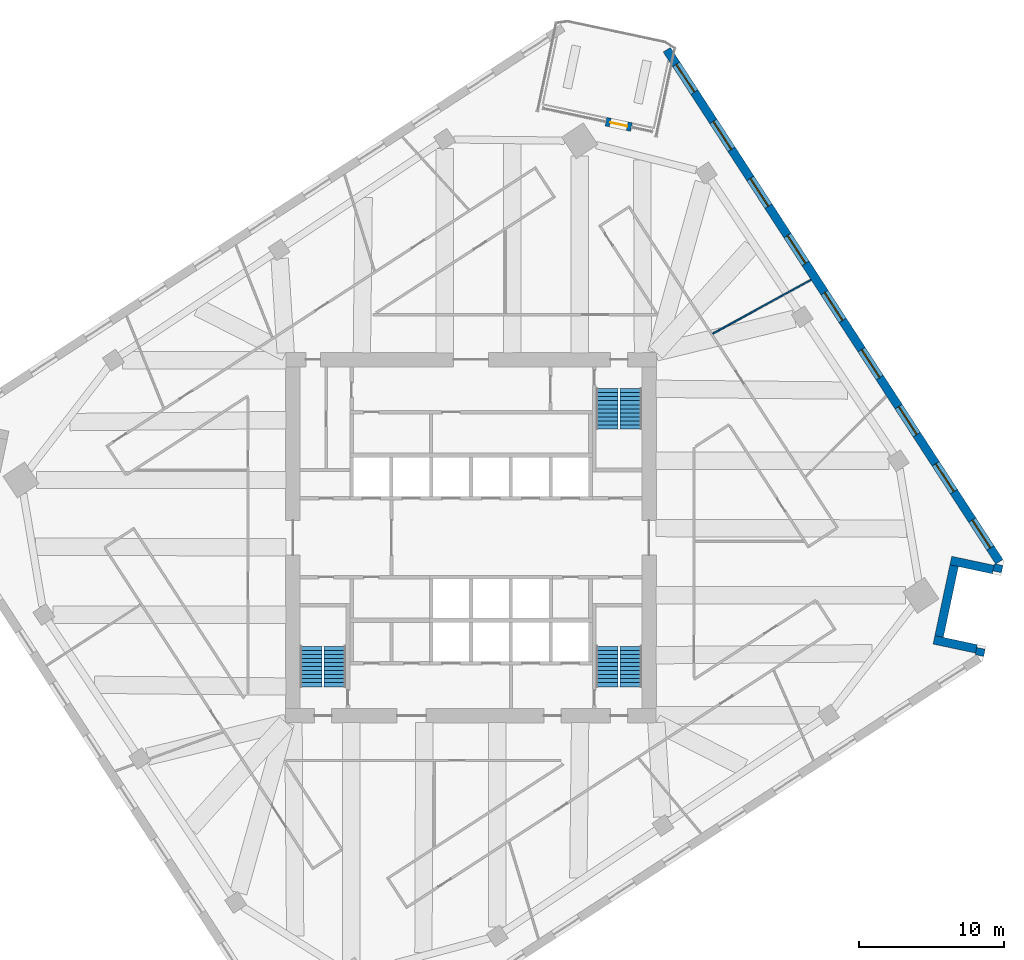
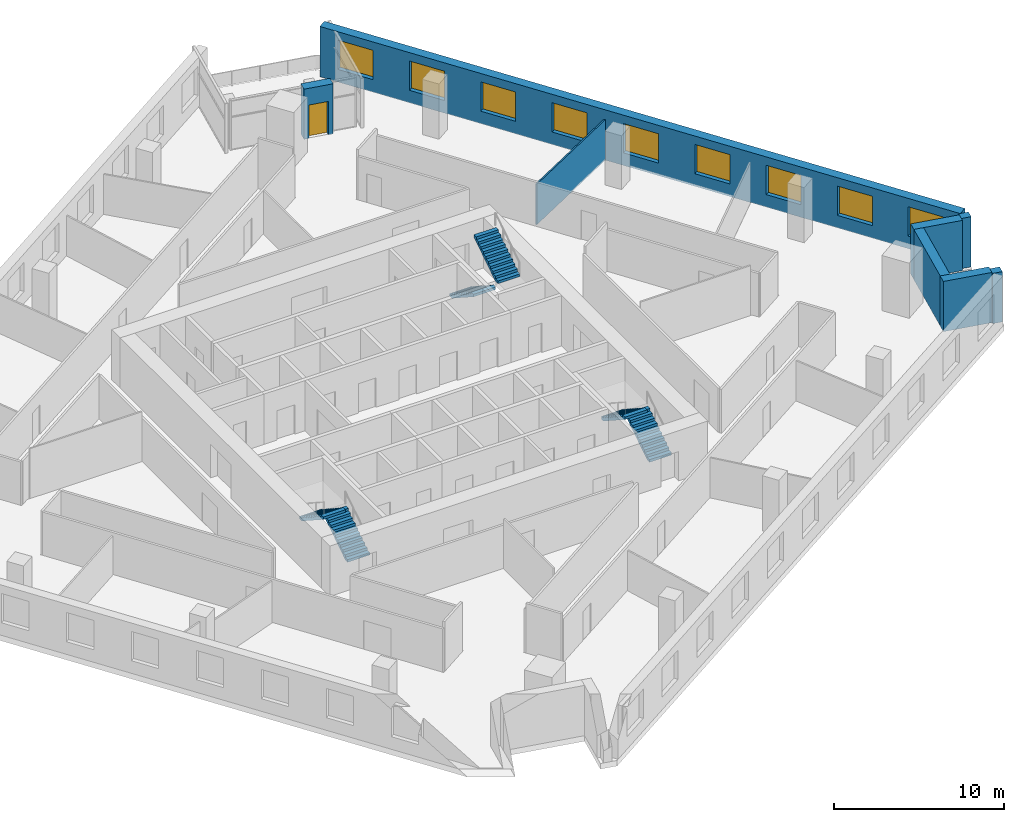
# One storey, part 10 of 12: 9 windows, 8 walls, 6 stair flights, 1 door, 10 openings, 3 elements without a shape of their own.
"""IFC4 building model written with IfcOpenShell, lengths in metres."""

from ifc_helpers import new_model, si_unit, direction, frame, frame_2d, origin, place, context, subcontext, project, spatial, polyline, rectangle, outline, extrude, material, layer, layer_set, type_object, element, fill, aggregate, save


model = new_model("IFC4")

# Units and contexts
model_context = context("Model", 3, precision=1e-05, world=origin(), true_north=direction((0.0, 1.0)))
body_context = subcontext(model_context, "Body", "Model", "MODEL_VIEW")
ifc_project = project(units=[si_unit("LENGTHUNIT", "METRE"), si_unit("AREAUNIT", "SQUARE_METRE"), si_unit("VOLUMEUNIT", "CUBIC_METRE"), si_unit("PLANEANGLEUNIT", "RADIAN"), si_unit("MASSUNIT", "GRAM", prefix="KILO")], contexts=[model_context])

# Site, building, storey
site_placement = place(None, origin())
site = spatial("IfcSite", under=ifc_project, at=site_placement, CompositionType="ELEMENT")
building_placement = place(site_placement, origin())
building = spatial("IfcBuilding", under=site, at=building_placement, Name="Dilmun Exchange Tower", CompositionType="ELEMENT")
storey_placement = place(building_placement, frame((0.0, 0.0, 159.699951171875)))
storey = spatial("IfcBuildingStorey", under=building, at=storey_placement, Name="L37", CompositionType="ELEMENT", Elevation=159.699951171875)

# Walls
ifc_material_1 = material(Name="Partition 100")
ifc_layer_1 = layer(ifc_material_1, 0.10009765625)
ifc_layer_set_1 = layer_set([ifc_layer_1], Name="Partition 100")
wall_type_1 = type_object("IfcWallType", Name="Partition 100", PredefinedType="PARTITIONING", material=ifc_layer_set_1)
wall_1_placement = place(storey_placement, frame((16.697265625, 14.0908203125, 0.0), z_axis=(0.0, 0.0, 1.0), x_axis=(0.877061470745, 0.480378159926, 0.0)))
element("IfcWall", 1, at=wall_1_placement, inside=storey, type_object=wall_type_1, Name="Partition", PredefinedType="PARTITIONING", context=body_context, shape_type="SweptSolid", body=[
    extrude(rectangle(XDim=7.74169921875, YDim=0.10009765625, at=frame_2d((3.870849609375, 0.0))), origin(), (0.0, 0.0, 1.0), 2.900146484375),
])
ifc_material_2 = material(Name="Precast concrete C50/60", Category="concrete")
ifc_layer_2 = layer(ifc_material_2, 0.60009765625)
ifc_layer_set_2 = layer_set([ifc_layer_2], Name="Precast concrete C50/60")
wall_type_2 = type_object("IfcWallType", Name="Precast stone-clad wall 600", PredefinedType="STANDARD", material=ifc_layer_set_2)
wall_2_placement = place(storey_placement, frame((35.119140625, -8.1455078125, 0.0), z_axis=(0.0, 0.0, 1.0), x_axis=(0.2081270777, 0.978101794052, 0.0)))
element("IfcWall", 2, at=wall_2_placement, inside=storey, type_object=wall_type_2, Name="Facade wall L37-16", PredefinedType="STANDARD", context=body_context, shape_type="SweptSolid", body=[
    extrude(rectangle(XDim=0.511474609375, YDim=0.60009765625, at=frame_2d((0.255859375, 0.0))), origin(), (0.0, 0.0, 1.0), 3.60009765625),
])
wall_3_placement = place(storey_placement, frame((34.911376953125, -7.6806640625, 0.0), z_axis=(0.0, 0.0, 1.0), x_axis=(-0.978146440129, 0.207917150959, 0.0)))
element("IfcWall", 3, at=wall_3_placement, inside=storey, type_object=wall_type_2, Name="Facade wall L37-17", PredefinedType="STANDARD", context=body_context, shape_type="SweptSolid", body=[
    extrude(rectangle(XDim=3.000244140625, YDim=0.60009765625, at=frame_2d((1.5, 0.0))), origin(), (0.0, 0.0, 1.0), 3.60009765625),
])
wall_4_placement = place(storey_placement, frame((32.33251953125, -6.825927734375, 0.0), z_axis=(0.0, 0.0, 1.0), x_axis=(0.207961536619, 0.978137004354, 0.0)))
element("IfcWall", 4, at=wall_4_placement, inside=storey, type_object=wall_type_2, Name="Facade wall L37-18", PredefinedType="STANDARD", context=body_context, shape_type="SweptSolid", body=[
    extrude(rectangle(XDim=5.0, YDim=0.60009765625, at=frame_2d((2.5, 0.0))), origin(), (0.0, 0.0, 1.0), 3.60009765625),
])
wall_5_placement = place(storey_placement, frame((33.14111328125, -1.579345703125, 0.0), z_axis=(0.0, 0.0, 1.0), x_axis=(0.978146440129, -0.207917150959, 0.0)))
element("IfcWall", 5, at=wall_5_placement, inside=storey, type_object=wall_type_2, Name="Facade wall L37-19", PredefinedType="STANDARD", context=body_context, shape_type="SweptSolid", body=[
    extrude(rectangle(XDim=3.000244140625, YDim=0.60009765625, at=frame_2d((1.5, 0.0))), origin(), (0.0, 0.0, 1.0), 3.60009765625),
])
wall_6_placement = place(storey_placement, frame((36.34814453125, -2.36328125, 0.0), z_axis=(0.0, 0.0, 1.0), x_axis=(0.208224297106, 0.978081102003, 0.0)))
element("IfcWall", 6, at=wall_6_placement, inside=storey, type_object=wall_type_2, Name="Facade wall L37-20", PredefinedType="STANDARD", context=body_context, shape_type="SweptSolid", body=[
    extrude(rectangle(XDim=0.51123046875, YDim=0.60009765625, at=frame_2d((0.255615234375, 0.0))), origin(), (0.0, 0.0, 1.0), 3.60009765625),
])

# Wall, openings, windows
wall_7_placement = place(storey_placement, frame((36.49609375, -1.66748046875, 0.0), z_axis=(0.0, 0.0, 1.0), x_axis=(-0.544637117646, 0.838671813096, 0.0)))
wall_7 = element("IfcWall", 7, at=wall_7_placement, inside=storey, type_object=wall_type_2, Name="Facade wall L37-21", PredefinedType="STANDARD", context=body_context, shape_type="SweptSolid", body=[
    extrude(rectangle(XDim=42.17578125, YDim=0.60009765625, at=frame_2d((21.087890625, 0.0))), origin(), (0.0, 0.0, 1.0), 3.60009765625),
])
opening_1_placement = place(wall_7_placement, frame((1.137939453125, 0.0, 0.89990234375)))
opening_1 = element("IfcOpeningElement", 8, at=opening_1_placement, cuts=wall_7, Name="Opening W230-210", PredefinedType="OPENING", context=body_context, shape_type="SweptSolid", body=[
    extrude(rectangle(XDim=2.300048828125, YDim=2.10009765625, at=frame_2d((1.14990234375, 1.050048828125))), frame((0.0, 0.31005859375, 0.0), z_axis=(0.0, -1.0, 0.0), x_axis=(1.0, 0.0, 0.0)), (0.0, 0.0, 1.0), 0.6201171875),
])
opening_2_placement = place(wall_7_placement, frame((5.775634765625, 0.0, 0.89990234375)))
opening_2 = element("IfcOpeningElement", 9, at=opening_2_placement, cuts=wall_7, Name="Opening W230-210", PredefinedType="OPENING", context=body_context, shape_type="SweptSolid", body=[
    extrude(rectangle(XDim=2.300048828125, YDim=2.10009765625, at=frame_2d((1.14990234375, 1.050048828125))), frame((0.0, 0.31005859375, 0.0), z_axis=(0.0, -1.0, 0.0), x_axis=(1.0, 0.0, 0.0)), (0.0, 0.0, 1.0), 0.6201171875),
])
opening_3_placement = place(wall_7_placement, frame((10.4755859375, 0.0, 0.89990234375)))
opening_3 = element("IfcOpeningElement", 10, at=opening_3_placement, cuts=wall_7, Name="Opening W230-210", PredefinedType="OPENING", context=body_context, shape_type="SweptSolid", body=[
    extrude(rectangle(XDim=2.300048828125, YDim=2.10009765625, at=frame_2d((1.14990234375, 1.050048828125))), frame((0.0, 0.31005859375, 0.0), z_axis=(0.0, -1.0, 0.0), x_axis=(1.0, 0.0, 0.0)), (0.0, 0.0, 1.0), 0.6201171875),
])
opening_4_placement = place(wall_7_placement, frame((15.17578125, 0.0, 0.89990234375)))
opening_4 = element("IfcOpeningElement", 11, at=opening_4_placement, cuts=wall_7, Name="Opening W230-210", PredefinedType="OPENING", context=body_context, shape_type="SweptSolid", body=[
    extrude(rectangle(XDim=2.300048828125, YDim=2.10009765625, at=frame_2d((1.14990234375, 1.050048828125))), frame((0.0, 0.31005859375, 0.0), z_axis=(0.0, -1.0, 0.0), x_axis=(1.0, 0.0, 0.0)), (0.0, 0.0, 1.0), 0.6201171875),
])
opening_5_placement = place(wall_7_placement, frame((19.875732421875, 0.0, 0.89990234375)))
opening_5 = element("IfcOpeningElement", 12, at=opening_5_placement, cuts=wall_7, Name="Opening W230-210", PredefinedType="OPENING", context=body_context, shape_type="SweptSolid", body=[
    extrude(rectangle(XDim=2.300048828125, YDim=2.10009765625, at=frame_2d((1.14990234375, 1.050048828125))), frame((0.0, 0.31005859375, 0.0), z_axis=(0.0, -1.0, 0.0), x_axis=(1.0, 0.0, 0.0)), (0.0, 0.0, 1.0), 0.6201171875),
])
opening_6_placement = place(wall_7_placement, frame((24.57568359375, 0.0, 0.89990234375)))
opening_6 = element("IfcOpeningElement", 13, at=opening_6_placement, cuts=wall_7, Name="Opening W230-210", PredefinedType="OPENING", context=body_context, shape_type="SweptSolid", body=[
    extrude(rectangle(XDim=2.300048828125, YDim=2.10009765625, at=frame_2d((1.14990234375, 1.050048828125))), frame((0.0, 0.31005859375, 0.0), z_axis=(0.0, -1.0, 0.0), x_axis=(1.0, 0.0, 0.0)), (0.0, 0.0, 1.0), 0.6201171875),
])
opening_7_placement = place(wall_7_placement, frame((29.275634765625, 0.0, 0.89990234375)))
opening_7 = element("IfcOpeningElement", 14, at=opening_7_placement, cuts=wall_7, Name="Opening W230-210", PredefinedType="OPENING", context=body_context, shape_type="SweptSolid", body=[
    extrude(rectangle(XDim=2.300048828125, YDim=2.10009765625, at=frame_2d((1.14990234375, 1.050048828125))), frame((0.0, 0.31005859375, 0.0), z_axis=(0.0, -1.0, 0.0), x_axis=(1.0, 0.0, 0.0)), (0.0, 0.0, 1.0), 0.6201171875),
])
opening_8_placement = place(wall_7_placement, frame((33.9755859375, 0.0, 0.89990234375)))
opening_8 = element("IfcOpeningElement", 15, at=opening_8_placement, cuts=wall_7, Name="Opening W230-210", PredefinedType="OPENING", context=body_context, shape_type="SweptSolid", body=[
    extrude(rectangle(XDim=2.300048828125, YDim=2.10009765625, at=frame_2d((1.14990234375, 1.050048828125))), frame((0.0, 0.31005859375, 0.0), z_axis=(0.0, -1.0, 0.0), x_axis=(1.0, 0.0, 0.0)), (0.0, 0.0, 1.0), 0.6201171875),
])
opening_9_placement = place(wall_7_placement, frame((38.67578125, 0.0, 0.89990234375)))
opening_9 = element("IfcOpeningElement", 16, at=opening_9_placement, cuts=wall_7, Name="Opening W230-210", PredefinedType="OPENING", context=body_context, shape_type="SweptSolid", body=[
    extrude(rectangle(XDim=2.300048828125, YDim=2.10009765625, at=frame_2d((1.14990234375, 1.050048828125))), frame((0.0, 0.31005859375, 0.0), z_axis=(0.0, -1.0, 0.0), x_axis=(1.0, 0.0, 0.0)), (0.0, 0.0, 1.0), 0.6201171875),
])
ifc_material_3 = material(Name="Clear low-emissivity glass in aluminium frame", Category="aluminium")
window_type = type_object("IfcWindowType", Name="Punched window 2300 x 2100", PartitioningType="DOUBLE_PANEL_VERTICAL", PredefinedType="WINDOW", material=ifc_material_3)
window_1_placement = place(opening_1_placement, origin())
window_1 = element("IfcWindow", 17, at=window_1_placement, inside=storey, type_object=window_type, Name="Window 22.1", OverallHeight=2.10009765625, OverallWidth=2.300048828125, PartitioningType="SINGLE_PANEL", PredefinedType="WINDOW", context=body_context, shape_type="SweptSolid", body=[
    extrude(rectangle(XDim=2.300048828125, YDim=2.10009765625, at=frame_2d((1.14990234375, 1.050048828125))), frame((0.0, 0.030029296875, 0.0), z_axis=(0.0, -1.0, 0.0), x_axis=(1.0, 0.0, 0.0)), (0.0, 0.0, 1.0), 0.06005859375),
])
fill(opening_1, window_1)
window_2_placement = place(opening_2_placement, origin())
window_2 = element("IfcWindow", 18, at=window_2_placement, inside=storey, type_object=window_type, Name="Window 22.2", OverallHeight=2.10009765625, OverallWidth=2.300048828125, PartitioningType="SINGLE_PANEL", PredefinedType="WINDOW", context=body_context, shape_type="SweptSolid", body=[
    extrude(rectangle(XDim=2.300048828125, YDim=2.10009765625, at=frame_2d((1.14990234375, 1.050048828125))), frame((0.0, 0.030029296875, 0.0), z_axis=(0.0, -1.0, 0.0), x_axis=(1.0, 0.0, 0.0)), (0.0, 0.0, 1.0), 0.06005859375),
])
fill(opening_2, window_2)
window_3_placement = place(opening_3_placement, origin())
window_3 = element("IfcWindow", 19, at=window_3_placement, inside=storey, type_object=window_type, Name="Window 22.3", OverallHeight=2.10009765625, OverallWidth=2.300048828125, PartitioningType="SINGLE_PANEL", PredefinedType="WINDOW", context=body_context, shape_type="SweptSolid", body=[
    extrude(rectangle(XDim=2.300048828125, YDim=2.10009765625, at=frame_2d((1.14990234375, 1.050048828125))), frame((0.0, 0.030029296875, 0.0), z_axis=(0.0, -1.0, 0.0), x_axis=(1.0, 0.0, 0.0)), (0.0, 0.0, 1.0), 0.06005859375),
])
fill(opening_3, window_3)
window_4_placement = place(opening_4_placement, origin())
window_4 = element("IfcWindow", 20, at=window_4_placement, inside=storey, type_object=window_type, Name="Window 22.4", OverallHeight=2.10009765625, OverallWidth=2.300048828125, PartitioningType="SINGLE_PANEL", PredefinedType="WINDOW", context=body_context, shape_type="SweptSolid", body=[
    extrude(rectangle(XDim=2.300048828125, YDim=2.10009765625, at=frame_2d((1.14990234375, 1.050048828125))), frame((0.0, 0.030029296875, 0.0), z_axis=(0.0, -1.0, 0.0), x_axis=(1.0, 0.0, 0.0)), (0.0, 0.0, 1.0), 0.06005859375),
])
fill(opening_4, window_4)
window_5_placement = place(opening_5_placement, origin())
window_5 = element("IfcWindow", 21, at=window_5_placement, inside=storey, type_object=window_type, Name="Window 22.5", OverallHeight=2.10009765625, OverallWidth=2.300048828125, PartitioningType="SINGLE_PANEL", PredefinedType="WINDOW", context=body_context, shape_type="SweptSolid", body=[
    extrude(rectangle(XDim=2.300048828125, YDim=2.10009765625, at=frame_2d((1.14990234375, 1.050048828125))), frame((0.0, 0.030029296875, 0.0), z_axis=(0.0, -1.0, 0.0), x_axis=(1.0, 0.0, 0.0)), (0.0, 0.0, 1.0), 0.06005859375),
])
fill(opening_5, window_5)
window_6_placement = place(opening_6_placement, origin())
window_6 = element("IfcWindow", 22, at=window_6_placement, inside=storey, type_object=window_type, Name="Window 22.6", OverallHeight=2.10009765625, OverallWidth=2.300048828125, PartitioningType="SINGLE_PANEL", PredefinedType="WINDOW", context=body_context, shape_type="SweptSolid", body=[
    extrude(rectangle(XDim=2.300048828125, YDim=2.10009765625, at=frame_2d((1.14990234375, 1.050048828125))), frame((0.0, 0.030029296875, 0.0), z_axis=(0.0, -1.0, 0.0), x_axis=(1.0, 0.0, 0.0)), (0.0, 0.0, 1.0), 0.06005859375),
])
fill(opening_6, window_6)
window_7_placement = place(opening_7_placement, origin())
window_7 = element("IfcWindow", 23, at=window_7_placement, inside=storey, type_object=window_type, Name="Window 22.7", OverallHeight=2.10009765625, OverallWidth=2.300048828125, PartitioningType="SINGLE_PANEL", PredefinedType="WINDOW", context=body_context, shape_type="SweptSolid", body=[
    extrude(rectangle(XDim=2.300048828125, YDim=2.10009765625, at=frame_2d((1.14990234375, 1.050048828125))), frame((0.0, 0.030029296875, 0.0), z_axis=(0.0, -1.0, 0.0), x_axis=(1.0, 0.0, 0.0)), (0.0, 0.0, 1.0), 0.06005859375),
])
fill(opening_7, window_7)
window_8_placement = place(opening_8_placement, origin())
window_8 = element("IfcWindow", 24, at=window_8_placement, inside=storey, type_object=window_type, Name="Window 22.8", OverallHeight=2.10009765625, OverallWidth=2.300048828125, PartitioningType="SINGLE_PANEL", PredefinedType="WINDOW", context=body_context, shape_type="SweptSolid", body=[
    extrude(rectangle(XDim=2.300048828125, YDim=2.10009765625, at=frame_2d((1.14990234375, 1.050048828125))), frame((0.0, 0.030029296875, 0.0), z_axis=(0.0, -1.0, 0.0), x_axis=(1.0, 0.0, 0.0)), (0.0, 0.0, 1.0), 0.06005859375),
])
fill(opening_8, window_8)
window_9_placement = place(opening_9_placement, origin())
window_9 = element("IfcWindow", 25, at=window_9_placement, inside=storey, type_object=window_type, Name="Window 22.9", OverallHeight=2.10009765625, OverallWidth=2.300048828125, PartitioningType="SINGLE_PANEL", PredefinedType="WINDOW", context=body_context, shape_type="SweptSolid", body=[
    extrude(rectangle(XDim=2.300048828125, YDim=2.10009765625, at=frame_2d((1.14990234375, 1.050048828125))), frame((0.0, 0.030029296875, 0.0), z_axis=(0.0, -1.0, 0.0), x_axis=(1.0, 0.0, 0.0)), (0.0, 0.0, 1.0), 0.06005859375),
])
fill(opening_9, window_9)

# Wall, opening, door
wall_8_placement = place(storey_placement, frame((11.084228515625, 28.360595703125, 0.0), z_axis=(0.0, 0.0, 1.0), x_axis=(-0.978174015353, 0.207787380965, 0.0)))
wall_8 = element("IfcWall", 26, at=wall_8_placement, inside=storey, type_object=wall_type_2, Name="Facade wall L37-01-D", PredefinedType="STANDARD", context=body_context, shape_type="SweptSolid", body=[
    extrude(rectangle(XDim=1.800048828125, YDim=0.60009765625, at=frame_2d((0.89990234375, 0.0))), origin(), (0.0, 0.0, 1.0), 3.60009765625),
])
opening_10_placement = place(wall_8_placement, frame((0.300048828125, 0.0, 0.0)))
opening_10 = element("IfcOpeningElement", 27, at=opening_10_placement, cuts=wall_8, Name="Opening GD-1", PredefinedType="OPENING", context=body_context, shape_type="SweptSolid", body=[
    extrude(rectangle(XDim=1.199951171875, YDim=2.39990234375, at=frame_2d((0.60009765625, 1.199951171875))), frame((0.0, 0.31005859375, 0.0), z_axis=(0.0, -1.0, 0.0), x_axis=(1.0, 0.0, 0.0)), (0.0, 0.0, 1.0), 0.6201171875),
])
door_type = type_object("IfcDoorType", Name="Glazed garden door 1200 x 2400", OperationType="SINGLE_SWING_LEFT", PredefinedType="DOOR", material=ifc_material_3)
door_placement = place(opening_10_placement, origin())
door = element("IfcDoor", 28, at=door_placement, inside=storey, type_object=door_type, Name="Garden terrace door", OperationType="SINGLE_SWING_LEFT", OverallHeight=2.39990234375, OverallWidth=1.199951171875, PredefinedType="DOOR", context=body_context, shape_type="SweptSolid", body=[
    extrude(rectangle(XDim=1.199951171875, YDim=2.39990234375, at=frame_2d((0.60009765625, 1.199951171875))), frame((0.0, 0.02490234375, 0.0), z_axis=(0.0, -1.0, 0.0), x_axis=(1.0, 0.0, 0.0)), (0.0, 0.0, 1.0), 0.050048828125),
])
fill(opening_10, door)

# Stair, stair flights
ifc_material_4 = material(Name="Concrete C40/50", Category="concrete")
stair_type = type_object("IfcStairType", Name="Exit stair 1500 half-turn", PredefinedType="HALF_TURN_STAIR", material=ifc_material_4)
stair_1_placement = place(storey_placement, origin())
stair_1 = element("IfcStair", 29, at=stair_1_placement, inside=storey, type_object=stair_type, Name="L37 Protected exit stair ST1", PredefinedType="HALF_TURN_STAIR")
stair_flight_type = type_object("IfcStairFlightType", Name="Exit stair flight 1500", PredefinedType="STRAIGHT", material=ifc_material_4)
stair_flight_1_placement = place(storey_placement, frame((9.39990234375, 10.300048828125, 0.0), z_axis=(0.0, 0.0, 1.0), x_axis=(0.0, -1.0, 0.0)))
stair_flight_1 = element("IfcStairFlight", 30, at=stair_flight_1_placement, type_object=stair_flight_type, Name="ST1 flight 1", NumberOfRisers=11, NumberOfTreads=10, PredefinedType="STRAIGHT", RiserHeight=0.181818182, TreadLength=0.28, context=body_context, shape_type="SweptSolid", body=[
    extrude(outline(polyline([(0.0, 0.0), (0.0, 0.181884765625), (0.280029296875, 0.181884765625), (0.280029296875, 0.363525390625), (0.56005859375, 0.363525390625), (0.56005859375, 0.54541015625), (0.840087890625, 0.54541015625), (0.840087890625, 0.727294921875), (1.1201171875, 0.727294921875), (1.1201171875, 0.9091796875), (1.39990234375, 0.9091796875), (1.39990234375, 1.0908203125), (1.679931640625, 1.0908203125), (1.679931640625, 1.272705078125), (1.9599609375, 1.272705078125), (1.9599609375, 1.45458984375), (2.239990234375, 1.45458984375), (2.239990234375, 1.636474609375), (2.52001953125, 1.636474609375), (2.52001953125, 1.818115234375), (2.800048828125, 1.818115234375), (2.800048828125, 2.0), (2.800048828125, 1.639404296875), (0.275146484375, 0.0), (0.0, 0.0)])), frame((0.0, 0.75, 0.0), z_axis=(0.0, -1.0, 0.0), x_axis=(1.0, 0.0, 0.0)), (0.0, 0.0, 1.0), 1.5),
])
stair_flight_2_placement = place(storey_placement, frame((11.050048828125, 7.5, 2.0), z_axis=(0.0, 0.0, 1.0), x_axis=(0.0, 1.0, 0.0)))
stair_flight_2 = element("IfcStairFlight", 31, at=stair_flight_2_placement, type_object=stair_flight_type, Name="ST1 flight 2", NumberOfRisers=11, NumberOfTreads=10, PredefinedType="STRAIGHT", RiserHeight=0.181818182, TreadLength=0.28, context=body_context, shape_type="SweptSolid", body=[
    extrude(outline(polyline([(0.0, 0.0), (0.0, 0.181884765625), (0.280029296875, 0.181884765625), (0.280029296875, 0.363525390625), (0.56005859375, 0.363525390625), (0.56005859375, 0.54541015625), (0.840087890625, 0.54541015625), (0.840087890625, 0.727294921875), (1.1201171875, 0.727294921875), (1.1201171875, 0.9091796875), (1.39990234375, 0.9091796875), (1.39990234375, 1.0908203125), (1.679931640625, 1.0908203125), (1.679931640625, 1.272705078125), (1.9599609375, 1.272705078125), (1.9599609375, 1.45458984375), (2.239990234375, 1.45458984375), (2.239990234375, 1.636474609375), (2.52001953125, 1.636474609375), (2.52001953125, 1.818115234375), (2.800048828125, 1.818115234375), (2.800048828125, 2.0), (2.800048828125, 1.639404296875), (0.275146484375, 0.0), (0.0, 0.0)])), frame((0.0, 0.75, 0.0), z_axis=(0.0, -1.0, 0.0), x_axis=(1.0, 0.0, 0.0)), (0.0, 0.0, 1.0), 1.5),
])
aggregate(stair_1, [stair_flight_1, stair_flight_2])

stair_2_placement = place(storey_placement, origin())
stair_2 = element("IfcStair", 32, at=stair_2_placement, inside=storey, type_object=stair_type, Name="L37 Protected exit stair ST2", PredefinedType="HALF_TURN_STAIR")
stair_flight_3_placement = place(storey_placement, frame((-9.39990234375, -10.300048828125, 0.0), z_axis=(0.0, 0.0, 1.0), x_axis=(0.0, 1.0, 0.0)))
stair_flight_3 = element("IfcStairFlight", 33, at=stair_flight_3_placement, type_object=stair_flight_type, Name="ST2 flight 1", NumberOfRisers=11, NumberOfTreads=10, PredefinedType="STRAIGHT", RiserHeight=0.181818182, TreadLength=0.28, context=body_context, shape_type="SweptSolid", body=[
    extrude(outline(polyline([(0.0, 0.0), (0.0, 0.181884765625), (0.280029296875, 0.181884765625), (0.280029296875, 0.363525390625), (0.56005859375, 0.363525390625), (0.56005859375, 0.54541015625), (0.840087890625, 0.54541015625), (0.840087890625, 0.727294921875), (1.1201171875, 0.727294921875), (1.1201171875, 0.9091796875), (1.39990234375, 0.9091796875), (1.39990234375, 1.0908203125), (1.679931640625, 1.0908203125), (1.679931640625, 1.272705078125), (1.9599609375, 1.272705078125), (1.9599609375, 1.45458984375), (2.239990234375, 1.45458984375), (2.239990234375, 1.636474609375), (2.52001953125, 1.636474609375), (2.52001953125, 1.818115234375), (2.800048828125, 1.818115234375), (2.800048828125, 2.0), (2.800048828125, 1.639404296875), (0.275146484375, 0.0), (0.0, 0.0)])), frame((0.0, 0.75, 0.0), z_axis=(0.0, -1.0, 0.0), x_axis=(1.0, 0.0, 0.0)), (0.0, 0.0, 1.0), 1.5),
])
stair_flight_4_placement = place(storey_placement, frame((-11.050048828125, -7.5, 2.0), z_axis=(0.0, 0.0, 1.0), x_axis=(0.0, -1.0, 0.0)))
stair_flight_4 = element("IfcStairFlight", 34, at=stair_flight_4_placement, type_object=stair_flight_type, Name="ST2 flight 2", NumberOfRisers=11, NumberOfTreads=10, PredefinedType="STRAIGHT", RiserHeight=0.181818182, TreadLength=0.28, context=body_context, shape_type="SweptSolid", body=[
    extrude(outline(polyline([(0.0, 0.0), (0.0, 0.181884765625), (0.280029296875, 0.181884765625), (0.280029296875, 0.363525390625), (0.56005859375, 0.363525390625), (0.56005859375, 0.54541015625), (0.840087890625, 0.54541015625), (0.840087890625, 0.727294921875), (1.1201171875, 0.727294921875), (1.1201171875, 0.9091796875), (1.39990234375, 0.9091796875), (1.39990234375, 1.0908203125), (1.679931640625, 1.0908203125), (1.679931640625, 1.272705078125), (1.9599609375, 1.272705078125), (1.9599609375, 1.45458984375), (2.239990234375, 1.45458984375), (2.239990234375, 1.636474609375), (2.52001953125, 1.636474609375), (2.52001953125, 1.818115234375), (2.800048828125, 1.818115234375), (2.800048828125, 2.0), (2.800048828125, 1.639404296875), (0.275146484375, 0.0), (0.0, 0.0)])), frame((0.0, 0.75, 0.0), z_axis=(0.0, -1.0, 0.0), x_axis=(1.0, 0.0, 0.0)), (0.0, 0.0, 1.0), 1.5),
])
aggregate(stair_2, [stair_flight_3, stair_flight_4])

stair_3_placement = place(storey_placement, origin())
stair_3 = element("IfcStair", 35, at=stair_3_placement, inside=storey, type_object=stair_type, Name="L37 Protected exit stair ST3", PredefinedType="HALF_TURN_STAIR")
stair_flight_5_placement = place(storey_placement, frame((11.050048828125, -10.300048828125, 0.0), z_axis=(0.0, 0.0, 1.0), x_axis=(0.0, 1.0, 0.0)))
stair_flight_5 = element("IfcStairFlight", 36, at=stair_flight_5_placement, type_object=stair_flight_type, Name="ST3 flight 1", NumberOfRisers=11, NumberOfTreads=10, PredefinedType="STRAIGHT", RiserHeight=0.181818182, TreadLength=0.28, context=body_context, shape_type="SweptSolid", body=[
    extrude(outline(polyline([(0.0, 0.0), (0.0, 0.181884765625), (0.280029296875, 0.181884765625), (0.280029296875, 0.363525390625), (0.56005859375, 0.363525390625), (0.56005859375, 0.54541015625), (0.840087890625, 0.54541015625), (0.840087890625, 0.727294921875), (1.1201171875, 0.727294921875), (1.1201171875, 0.9091796875), (1.39990234375, 0.9091796875), (1.39990234375, 1.0908203125), (1.679931640625, 1.0908203125), (1.679931640625, 1.272705078125), (1.9599609375, 1.272705078125), (1.9599609375, 1.45458984375), (2.239990234375, 1.45458984375), (2.239990234375, 1.636474609375), (2.52001953125, 1.636474609375), (2.52001953125, 1.818115234375), (2.800048828125, 1.818115234375), (2.800048828125, 2.0), (2.800048828125, 1.639404296875), (0.275146484375, 0.0), (0.0, 0.0)])), frame((0.0, 0.75, 0.0), z_axis=(0.0, -1.0, 0.0), x_axis=(1.0, 0.0, 0.0)), (0.0, 0.0, 1.0), 1.5),
])
stair_flight_6_placement = place(storey_placement, frame((9.39990234375, -7.5, 2.0), z_axis=(0.0, 0.0, 1.0), x_axis=(0.0, -1.0, 0.0)))
stair_flight_6 = element("IfcStairFlight", 37, at=stair_flight_6_placement, type_object=stair_flight_type, Name="ST3 flight 2", NumberOfRisers=11, NumberOfTreads=10, PredefinedType="STRAIGHT", RiserHeight=0.181818182, TreadLength=0.28, context=body_context, shape_type="SweptSolid", body=[
    extrude(outline(polyline([(0.0, 0.0), (0.0, 0.181884765625), (0.280029296875, 0.181884765625), (0.280029296875, 0.363525390625), (0.56005859375, 0.363525390625), (0.56005859375, 0.54541015625), (0.840087890625, 0.54541015625), (0.840087890625, 0.727294921875), (1.1201171875, 0.727294921875), (1.1201171875, 0.9091796875), (1.39990234375, 0.9091796875), (1.39990234375, 1.0908203125), (1.679931640625, 1.0908203125), (1.679931640625, 1.272705078125), (1.9599609375, 1.272705078125), (1.9599609375, 1.45458984375), (2.239990234375, 1.45458984375), (2.239990234375, 1.636474609375), (2.52001953125, 1.636474609375), (2.52001953125, 1.818115234375), (2.800048828125, 1.818115234375), (2.800048828125, 2.0), (2.800048828125, 1.639404296875), (0.275146484375, 0.0), (0.0, 0.0)])), frame((0.0, 0.75, 0.0), z_axis=(0.0, -1.0, 0.0), x_axis=(1.0, 0.0, 0.0)), (0.0, 0.0, 1.0), 1.5),
])
aggregate(stair_3, [stair_flight_5, stair_flight_6])

save(model, "model.ifc")
